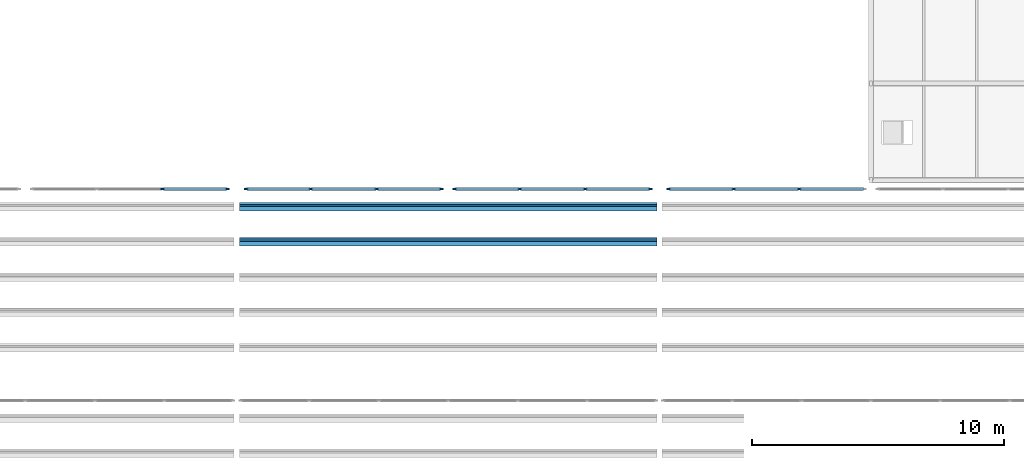
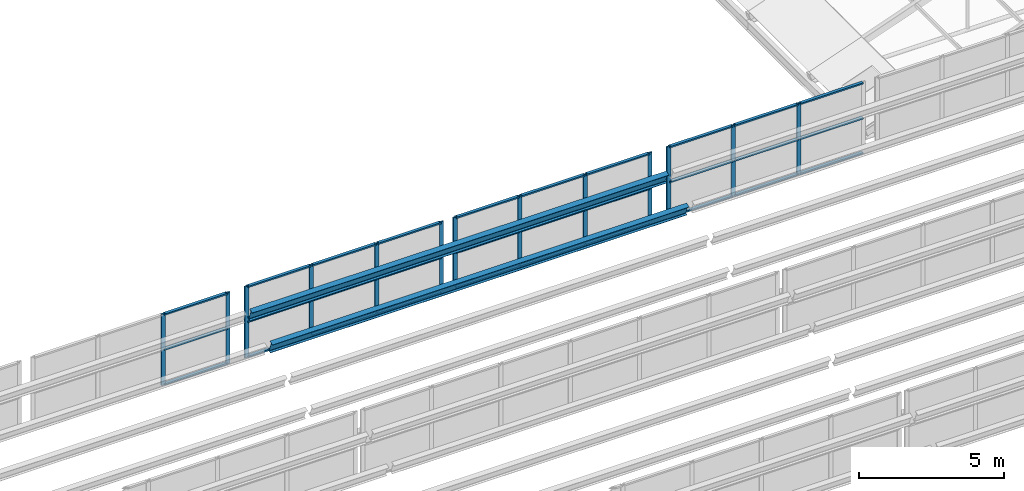
# One storey, part 23 of 116: 45 members, 4 elements without a shape of their own.
"""IFC4 building model written with IfcOpenShell, lengths in metres."""

from ifc_helpers import new_model, si_unit, direction, frame, origin, origin_2d, place, context, subcontext, project, spatial, rectangle, i_section, extrude, material, material_profile, profile_set, type_object, element, aggregate, save


model = new_model("IFC4")

# Units and contexts
model_context = context("Model", 3, precision=1e-05, world=origin(), true_north=direction((0.0, 1.0)))
body_context = subcontext(model_context, "Body", "Model", "MODEL_VIEW")
ifc_project = project(units=[si_unit("LENGTHUNIT", "METRE"), si_unit("AREAUNIT", "SQUARE_METRE"), si_unit("VOLUMEUNIT", "CUBIC_METRE"), si_unit("PLANEANGLEUNIT", "RADIAN"), si_unit("MASSUNIT", "GRAM", prefix="KILO")], contexts=[model_context])

# Site, building, storey
site_placement = place(None, origin())
site = spatial("IfcSite", under=ifc_project, at=site_placement, CompositionType="ELEMENT")
building_placement = place(site_placement, origin())
building = spatial("IfcBuilding", under=site, at=building_placement, Name="Fescue Hill Polytechnic", CompositionType="ELEMENT")
storey_placement = place(building_placement, frame((0.0, 0.0, 13.5)))
storey = spatial("IfcBuildingStorey", under=building, at=storey_placement, Name="L03", CompositionType="ELEMENT", Elevation=13.5)

# Curtain wall, members
ifc_material_1 = material(Name="Aluminium and glass", Category="aluminium")
curtain_wall_type = type_object("IfcCurtainWallType", Name="Sawtooth north glazing curtain wall", PredefinedType="NOTDEFINED", material=ifc_material_1)
curtain_wall_1_placement = place(storey_placement, origin())
curtain_wall_1 = element("IfcCurtainWall", 1, at=curtain_wall_1_placement, inside=storey, type_object=curtain_wall_type, Name="Sawtooth 4 north glazing bay 4 part 2", PredefinedType="NOTDEFINED")
ifc_material_2 = material(Name="Aluminium", Category="aluminium")
ifc_material_profile_1 = material_profile(ifc_material_2, rectangle(XDim=0.06005859375, YDim=0.159912109375, at=origin_2d()), Name="Curtain wall mullion 60x160")
ifc_profile_set_1 = profile_set([ifc_material_profile_1], Name="Aluminium")
member_type_1 = type_object("IfcMemberType", Name="Curtain wall mullion 60x160", PredefinedType="MULLION", material=ifc_profile_set_1)
member_1_placement = place(storey_placement, frame((64.25341796875, 50.39990234375, 0.0), z_axis=(0.0, 0.0, 1.0), x_axis=(0.0, 1.0, 0.0)))
member_1 = element("IfcMember", 2, at=member_1_placement, type_object=member_type_1, Name="CW29 mullion 3", PredefinedType="MULLION", context=body_context, shape_type="SweptSolid", body=[
    extrude(rectangle(XDim=0.06005859375, YDim=0.159912109375, at=origin_2d()), origin(), (0.0, 0.0, 1.0), 3.0),
])
member_2_placement = place(storey_placement, frame((66.830078125, 50.39990234375, 0.0), z_axis=(0.0, 0.0, 1.0), x_axis=(0.0, 1.0, 0.0)))
member_2 = element("IfcMember", 3, at=member_2_placement, type_object=member_type_1, Name="CW29 mullion 4", PredefinedType="MULLION", context=body_context, shape_type="SweptSolid", body=[
    extrude(rectangle(XDim=0.06005859375, YDim=0.159912109375, at=origin_2d()), origin(), (0.0, 0.0, 1.0), 3.0),
])

curtain_wall_2_placement = place(storey_placement, origin())
curtain_wall_2 = element("IfcCurtainWall", 4, at=curtain_wall_2_placement, inside=storey, type_object=curtain_wall_type, Name="Sawtooth 4 north glazing bay 5 part 1", PredefinedType="NOTDEFINED")
member_3_placement = place(storey_placement, frame((67.570068359375, 50.39990234375, 0.0), z_axis=(0.0, 0.0, 1.0), x_axis=(0.0, 1.0, 0.0)))
member_3 = element("IfcMember", 5, at=member_3_placement, type_object=member_type_1, Name="CW30 mullion 1", PredefinedType="MULLION", context=body_context, shape_type="SweptSolid", body=[
    extrude(rectangle(XDim=0.06005859375, YDim=0.159912109375, at=origin_2d()), origin(), (0.0, 0.0, 1.0), 3.0),
])
member_4_placement = place(storey_placement, frame((70.146728515625, 50.39990234375, 0.0), z_axis=(0.0, 0.0, 1.0), x_axis=(0.0, 1.0, 0.0)))
member_4 = element("IfcMember", 6, at=member_4_placement, type_object=member_type_1, Name="CW30 mullion 2", PredefinedType="MULLION", context=body_context, shape_type="SweptSolid", body=[
    extrude(rectangle(XDim=0.06005859375, YDim=0.159912109375, at=origin_2d()), origin(), (0.0, 0.0, 1.0), 3.0),
])
member_5_placement = place(storey_placement, frame((72.75341796875, 50.39990234375, 0.0), z_axis=(0.0, 0.0, 1.0), x_axis=(0.0, 1.0, 0.0)))
member_5 = element("IfcMember", 7, at=member_5_placement, type_object=member_type_1, Name="CW30 mullion 3", PredefinedType="MULLION", context=body_context, shape_type="SweptSolid", body=[
    extrude(rectangle(XDim=0.06005859375, YDim=0.159912109375, at=origin_2d()), origin(), (0.0, 0.0, 1.0), 3.0),
])
member_6_placement = place(storey_placement, frame((75.330078125, 50.39990234375, 0.0), z_axis=(0.0, 0.0, 1.0), x_axis=(0.0, 1.0, 0.0)))
member_6 = element("IfcMember", 8, at=member_6_placement, type_object=member_type_1, Name="CW30 mullion 4", PredefinedType="MULLION", context=body_context, shape_type="SweptSolid", body=[
    extrude(rectangle(XDim=0.06005859375, YDim=0.159912109375, at=origin_2d()), origin(), (0.0, 0.0, 1.0), 3.0),
])

curtain_wall_3_placement = place(storey_placement, origin())
curtain_wall_3 = element("IfcCurtainWall", 9, at=curtain_wall_3_placement, inside=storey, type_object=curtain_wall_type, Name="Sawtooth 4 north glazing bay 5 part 2", PredefinedType="NOTDEFINED")
member_7_placement = place(storey_placement, frame((75.8701171875, 50.39990234375, 0.0), z_axis=(0.0, 0.0, 1.0), x_axis=(0.0, 1.0, 0.0)))
member_7 = element("IfcMember", 10, at=member_7_placement, type_object=member_type_1, Name="CW31 mullion 1", PredefinedType="MULLION", context=body_context, shape_type="SweptSolid", body=[
    extrude(rectangle(XDim=0.06005859375, YDim=0.159912109375, at=origin_2d()), origin(), (0.0, 0.0, 1.0), 3.0),
])
member_8_placement = place(storey_placement, frame((78.44677734375, 50.39990234375, 0.0), z_axis=(0.0, 0.0, 1.0), x_axis=(0.0, 1.0, 0.0)))
member_8 = element("IfcMember", 11, at=member_8_placement, type_object=member_type_1, Name="CW31 mullion 2", PredefinedType="MULLION", context=body_context, shape_type="SweptSolid", body=[
    extrude(rectangle(XDim=0.06005859375, YDim=0.159912109375, at=origin_2d()), origin(), (0.0, 0.0, 1.0), 3.0),
])
member_9_placement = place(storey_placement, frame((81.05322265625, 50.39990234375, 0.0), z_axis=(0.0, 0.0, 1.0), x_axis=(0.0, 1.0, 0.0)))
member_9 = element("IfcMember", 12, at=member_9_placement, type_object=member_type_1, Name="CW31 mullion 3", PredefinedType="MULLION", context=body_context, shape_type="SweptSolid", body=[
    extrude(rectangle(XDim=0.06005859375, YDim=0.159912109375, at=origin_2d()), origin(), (0.0, 0.0, 1.0), 3.0),
])
member_10_placement = place(storey_placement, frame((83.6298828125, 50.39990234375, 0.0), z_axis=(0.0, 0.0, 1.0), x_axis=(0.0, 1.0, 0.0)))
member_10 = element("IfcMember", 13, at=member_10_placement, type_object=member_type_1, Name="CW31 mullion 4", PredefinedType="MULLION", context=body_context, shape_type="SweptSolid", body=[
    extrude(rectangle(XDim=0.06005859375, YDim=0.159912109375, at=origin_2d()), origin(), (0.0, 0.0, 1.0), 3.0),
])

curtain_wall_4_placement = place(storey_placement, origin())
curtain_wall_4 = element("IfcCurtainWall", 14, at=curtain_wall_4_placement, inside=storey, type_object=curtain_wall_type, Name="Sawtooth 4 north glazing bay 6 part 1", PredefinedType="NOTDEFINED")
member_11_placement = place(storey_placement, frame((84.3701171875, 50.39990234375, 0.0), z_axis=(0.0, 0.0, 1.0), x_axis=(0.0, 1.0, 0.0)))
member_11 = element("IfcMember", 15, at=member_11_placement, type_object=member_type_1, Name="CW32 mullion 1", PredefinedType="MULLION", context=body_context, shape_type="SweptSolid", body=[
    extrude(rectangle(XDim=0.06005859375, YDim=0.159912109375, at=origin_2d()), origin(), (0.0, 0.0, 1.0), 3.0),
])
member_12_placement = place(storey_placement, frame((86.94677734375, 50.39990234375, 0.0), z_axis=(0.0, 0.0, 1.0), x_axis=(0.0, 1.0, 0.0)))
member_12 = element("IfcMember", 16, at=member_12_placement, type_object=member_type_1, Name="CW32 mullion 2", PredefinedType="MULLION", context=body_context, shape_type="SweptSolid", body=[
    extrude(rectangle(XDim=0.06005859375, YDim=0.159912109375, at=origin_2d()), origin(), (0.0, 0.0, 1.0), 3.0),
])
member_13_placement = place(storey_placement, frame((89.55322265625, 50.39990234375, 0.0), z_axis=(0.0, 0.0, 1.0), x_axis=(0.0, 1.0, 0.0)))
member_13 = element("IfcMember", 17, at=member_13_placement, type_object=member_type_1, Name="CW32 mullion 3", PredefinedType="MULLION", context=body_context, shape_type="SweptSolid", body=[
    extrude(rectangle(XDim=0.06005859375, YDim=0.159912109375, at=origin_2d()), origin(), (0.0, 0.0, 1.0), 3.0),
])

# Member
ifc_material_profile_2 = material_profile(ifc_material_2, rectangle(XDim=0.1201171875, YDim=0.06005859375, at=origin_2d()), Name="Curtain wall transom 60x120")
ifc_profile_set_2 = profile_set([ifc_material_profile_2], Name="Aluminium")
member_type_2 = type_object("IfcMemberType", Name="Curtain wall transom 60x120", PredefinedType="USERDEFINED", material=ifc_profile_set_2)
member_14_placement = place(storey_placement, frame((64.283447265625, 50.39990234375, 0.030029296875), z_axis=(1.0, 0.0, 0.0), x_axis=(0.0, 1.0, 0.0)))
member_14 = element("IfcMember", 18, at=member_14_placement, type_object=member_type_2, Name="CW29 transom 3.1", ObjectType="TRANSOM", PredefinedType="USERDEFINED", context=body_context, shape_type="SweptSolid", body=[
    extrude(rectangle(XDim=0.1201171875, YDim=0.06005859375, at=origin_2d()), origin(), (0.0, 0.0, 1.0), 2.5166015625),
])

member_15_placement = place(storey_placement, frame((64.283447265625, 50.39990234375, 1.5), z_axis=(1.0, 0.0, 0.0), x_axis=(0.0, 1.0, 0.0)))
member_15 = element("IfcMember", 19, at=member_15_placement, type_object=member_type_2, Name="CW29 transom 3.2", ObjectType="TRANSOM", PredefinedType="USERDEFINED", context=body_context, shape_type="SweptSolid", body=[
    extrude(rectangle(XDim=0.1201171875, YDim=0.06005859375, at=origin_2d()), origin(), (0.0, 0.0, 1.0), 2.5166015625),
])

member_16_placement = place(storey_placement, frame((64.283447265625, 50.39990234375, 2.969970703125), z_axis=(1.0, 0.0, 0.0), x_axis=(0.0, 1.0, 0.0)))
member_16 = element("IfcMember", 20, at=member_16_placement, type_object=member_type_2, Name="CW29 transom 3.3", ObjectType="TRANSOM", PredefinedType="USERDEFINED", context=body_context, shape_type="SweptSolid", body=[
    extrude(rectangle(XDim=0.1201171875, YDim=0.06005859375, at=origin_2d()), origin(), (0.0, 0.0, 1.0), 2.5166015625),
])

aggregate(curtain_wall_1, [member_1, member_2, member_14, member_15, member_16])

member_17_placement = place(storey_placement, frame((67.60009765625, 50.39990234375, 0.030029296875), z_axis=(1.0, 0.0, 0.0), x_axis=(0.0, 1.0, 0.0)))
member_17 = element("IfcMember", 21, at=member_17_placement, type_object=member_type_2, Name="CW30 transom 1.1", ObjectType="TRANSOM", PredefinedType="USERDEFINED", context=body_context, shape_type="SweptSolid", body=[
    extrude(rectangle(XDim=0.1201171875, YDim=0.06005859375, at=origin_2d()), origin(), (0.0, 0.0, 1.0), 2.5166015625),
])

member_18_placement = place(storey_placement, frame((67.60009765625, 50.39990234375, 1.5), z_axis=(1.0, 0.0, 0.0), x_axis=(0.0, 1.0, 0.0)))
member_18 = element("IfcMember", 22, at=member_18_placement, type_object=member_type_2, Name="CW30 transom 1.2", ObjectType="TRANSOM", PredefinedType="USERDEFINED", context=body_context, shape_type="SweptSolid", body=[
    extrude(rectangle(XDim=0.1201171875, YDim=0.06005859375, at=origin_2d()), origin(), (0.0, 0.0, 1.0), 2.5166015625),
])

member_19_placement = place(storey_placement, frame((67.60009765625, 50.39990234375, 2.969970703125), z_axis=(1.0, 0.0, 0.0), x_axis=(0.0, 1.0, 0.0)))
member_19 = element("IfcMember", 23, at=member_19_placement, type_object=member_type_2, Name="CW30 transom 1.3", ObjectType="TRANSOM", PredefinedType="USERDEFINED", context=body_context, shape_type="SweptSolid", body=[
    extrude(rectangle(XDim=0.1201171875, YDim=0.06005859375, at=origin_2d()), origin(), (0.0, 0.0, 1.0), 2.5166015625),
])

member_20_placement = place(storey_placement, frame((70.1767578125, 50.39990234375, 0.030029296875), z_axis=(1.0, 0.0, 0.0), x_axis=(0.0, 1.0, 0.0)))
member_20 = element("IfcMember", 24, at=member_20_placement, type_object=member_type_2, Name="CW30 transom 2.1", ObjectType="TRANSOM", PredefinedType="USERDEFINED", context=body_context, shape_type="SweptSolid", body=[
    extrude(rectangle(XDim=0.1201171875, YDim=0.06005859375, at=origin_2d()), origin(), (0.0, 0.0, 1.0), 2.546630859375),
])

member_21_placement = place(storey_placement, frame((70.1767578125, 50.39990234375, 1.5), z_axis=(1.0, 0.0, 0.0), x_axis=(0.0, 1.0, 0.0)))
member_21 = element("IfcMember", 25, at=member_21_placement, type_object=member_type_2, Name="CW30 transom 2.2", ObjectType="TRANSOM", PredefinedType="USERDEFINED", context=body_context, shape_type="SweptSolid", body=[
    extrude(rectangle(XDim=0.1201171875, YDim=0.06005859375, at=origin_2d()), origin(), (0.0, 0.0, 1.0), 2.546630859375),
])

member_22_placement = place(storey_placement, frame((70.1767578125, 50.39990234375, 2.969970703125), z_axis=(1.0, 0.0, 0.0), x_axis=(0.0, 1.0, 0.0)))
member_22 = element("IfcMember", 26, at=member_22_placement, type_object=member_type_2, Name="CW30 transom 2.3", ObjectType="TRANSOM", PredefinedType="USERDEFINED", context=body_context, shape_type="SweptSolid", body=[
    extrude(rectangle(XDim=0.1201171875, YDim=0.06005859375, at=origin_2d()), origin(), (0.0, 0.0, 1.0), 2.546630859375),
])

member_23_placement = place(storey_placement, frame((72.783447265625, 50.39990234375, 0.030029296875), z_axis=(1.0, 0.0, 0.0), x_axis=(0.0, 1.0, 0.0)))
member_23 = element("IfcMember", 27, at=member_23_placement, type_object=member_type_2, Name="CW30 transom 3.1", ObjectType="TRANSOM", PredefinedType="USERDEFINED", context=body_context, shape_type="SweptSolid", body=[
    extrude(rectangle(XDim=0.1201171875, YDim=0.06005859375, at=origin_2d()), origin(), (0.0, 0.0, 1.0), 2.5166015625),
])

member_24_placement = place(storey_placement, frame((72.783447265625, 50.39990234375, 1.5), z_axis=(1.0, 0.0, 0.0), x_axis=(0.0, 1.0, 0.0)))
member_24 = element("IfcMember", 28, at=member_24_placement, type_object=member_type_2, Name="CW30 transom 3.2", ObjectType="TRANSOM", PredefinedType="USERDEFINED", context=body_context, shape_type="SweptSolid", body=[
    extrude(rectangle(XDim=0.1201171875, YDim=0.06005859375, at=origin_2d()), origin(), (0.0, 0.0, 1.0), 2.5166015625),
])

member_25_placement = place(storey_placement, frame((72.783447265625, 50.39990234375, 2.969970703125), z_axis=(1.0, 0.0, 0.0), x_axis=(0.0, 1.0, 0.0)))
member_25 = element("IfcMember", 29, at=member_25_placement, type_object=member_type_2, Name="CW30 transom 3.3", ObjectType="TRANSOM", PredefinedType="USERDEFINED", context=body_context, shape_type="SweptSolid", body=[
    extrude(rectangle(XDim=0.1201171875, YDim=0.06005859375, at=origin_2d()), origin(), (0.0, 0.0, 1.0), 2.5166015625),
])

aggregate(curtain_wall_2, [member_3, member_4, member_5, member_6, member_17, member_18, member_19, member_20, member_21, member_22, member_23, member_24, member_25])

member_26_placement = place(storey_placement, frame((75.89990234375, 50.39990234375, 0.030029296875), z_axis=(1.0, 0.0, 0.0), x_axis=(0.0, 1.0, 0.0)))
member_26 = element("IfcMember", 30, at=member_26_placement, type_object=member_type_2, Name="CW31 transom 1.1", ObjectType="TRANSOM", PredefinedType="USERDEFINED", context=body_context, shape_type="SweptSolid", body=[
    extrude(rectangle(XDim=0.1201171875, YDim=0.06005859375, at=origin_2d()), origin(), (0.0, 0.0, 1.0), 2.516845703125),
])

member_27_placement = place(storey_placement, frame((75.89990234375, 50.39990234375, 1.5), z_axis=(1.0, 0.0, 0.0), x_axis=(0.0, 1.0, 0.0)))
member_27 = element("IfcMember", 31, at=member_27_placement, type_object=member_type_2, Name="CW31 transom 1.2", ObjectType="TRANSOM", PredefinedType="USERDEFINED", context=body_context, shape_type="SweptSolid", body=[
    extrude(rectangle(XDim=0.1201171875, YDim=0.06005859375, at=origin_2d()), origin(), (0.0, 0.0, 1.0), 2.516845703125),
])

member_28_placement = place(storey_placement, frame((75.89990234375, 50.39990234375, 2.969970703125), z_axis=(1.0, 0.0, 0.0), x_axis=(0.0, 1.0, 0.0)))
member_28 = element("IfcMember", 32, at=member_28_placement, type_object=member_type_2, Name="CW31 transom 1.3", ObjectType="TRANSOM", PredefinedType="USERDEFINED", context=body_context, shape_type="SweptSolid", body=[
    extrude(rectangle(XDim=0.1201171875, YDim=0.06005859375, at=origin_2d()), origin(), (0.0, 0.0, 1.0), 2.516845703125),
])

member_29_placement = place(storey_placement, frame((78.4765625, 50.39990234375, 0.030029296875), z_axis=(1.0, 0.0, 0.0), x_axis=(0.0, 1.0, 0.0)))
member_29 = element("IfcMember", 33, at=member_29_placement, type_object=member_type_2, Name="CW31 transom 2.1", ObjectType="TRANSOM", PredefinedType="USERDEFINED", context=body_context, shape_type="SweptSolid", body=[
    extrude(rectangle(XDim=0.1201171875, YDim=0.06005859375, at=origin_2d()), origin(), (0.0, 0.0, 1.0), 2.546875),
])

member_30_placement = place(storey_placement, frame((78.4765625, 50.39990234375, 1.5), z_axis=(1.0, 0.0, 0.0), x_axis=(0.0, 1.0, 0.0)))
member_30 = element("IfcMember", 34, at=member_30_placement, type_object=member_type_2, Name="CW31 transom 2.2", ObjectType="TRANSOM", PredefinedType="USERDEFINED", context=body_context, shape_type="SweptSolid", body=[
    extrude(rectangle(XDim=0.1201171875, YDim=0.06005859375, at=origin_2d()), origin(), (0.0, 0.0, 1.0), 2.546875),
])

member_31_placement = place(storey_placement, frame((78.4765625, 50.39990234375, 2.969970703125), z_axis=(1.0, 0.0, 0.0), x_axis=(0.0, 1.0, 0.0)))
member_31 = element("IfcMember", 35, at=member_31_placement, type_object=member_type_2, Name="CW31 transom 2.3", ObjectType="TRANSOM", PredefinedType="USERDEFINED", context=body_context, shape_type="SweptSolid", body=[
    extrude(rectangle(XDim=0.1201171875, YDim=0.06005859375, at=origin_2d()), origin(), (0.0, 0.0, 1.0), 2.546875),
])

member_32_placement = place(storey_placement, frame((81.083251953125, 50.39990234375, 0.030029296875), z_axis=(1.0, 0.0, 0.0), x_axis=(0.0, 1.0, 0.0)))
member_32 = element("IfcMember", 36, at=member_32_placement, type_object=member_type_2, Name="CW31 transom 3.1", ObjectType="TRANSOM", PredefinedType="USERDEFINED", context=body_context, shape_type="SweptSolid", body=[
    extrude(rectangle(XDim=0.1201171875, YDim=0.06005859375, at=origin_2d()), origin(), (0.0, 0.0, 1.0), 2.516845703125),
])

member_33_placement = place(storey_placement, frame((81.083251953125, 50.39990234375, 1.5), z_axis=(1.0, 0.0, 0.0), x_axis=(0.0, 1.0, 0.0)))
member_33 = element("IfcMember", 37, at=member_33_placement, type_object=member_type_2, Name="CW31 transom 3.2", ObjectType="TRANSOM", PredefinedType="USERDEFINED", context=body_context, shape_type="SweptSolid", body=[
    extrude(rectangle(XDim=0.1201171875, YDim=0.06005859375, at=origin_2d()), origin(), (0.0, 0.0, 1.0), 2.516845703125),
])

member_34_placement = place(storey_placement, frame((81.083251953125, 50.39990234375, 2.969970703125), z_axis=(1.0, 0.0, 0.0), x_axis=(0.0, 1.0, 0.0)))
member_34 = element("IfcMember", 38, at=member_34_placement, type_object=member_type_2, Name="CW31 transom 3.3", ObjectType="TRANSOM", PredefinedType="USERDEFINED", context=body_context, shape_type="SweptSolid", body=[
    extrude(rectangle(XDim=0.1201171875, YDim=0.06005859375, at=origin_2d()), origin(), (0.0, 0.0, 1.0), 2.516845703125),
])

aggregate(curtain_wall_3, [member_7, member_8, member_9, member_10, member_26, member_27, member_28, member_29, member_30, member_31, member_32, member_33, member_34])

member_35_placement = place(storey_placement, frame((84.39990234375, 50.39990234375, 0.030029296875), z_axis=(1.0, 0.0, 0.0), x_axis=(0.0, 1.0, 0.0)))
member_35 = element("IfcMember", 39, at=member_35_placement, type_object=member_type_2, Name="CW32 transom 1.1", ObjectType="TRANSOM", PredefinedType="USERDEFINED", context=body_context, shape_type="SweptSolid", body=[
    extrude(rectangle(XDim=0.1201171875, YDim=0.06005859375, at=origin_2d()), origin(), (0.0, 0.0, 1.0), 2.516845703125),
])

member_36_placement = place(storey_placement, frame((84.39990234375, 50.39990234375, 1.5), z_axis=(1.0, 0.0, 0.0), x_axis=(0.0, 1.0, 0.0)))
member_36 = element("IfcMember", 40, at=member_36_placement, type_object=member_type_2, Name="CW32 transom 1.2", ObjectType="TRANSOM", PredefinedType="USERDEFINED", context=body_context, shape_type="SweptSolid", body=[
    extrude(rectangle(XDim=0.1201171875, YDim=0.06005859375, at=origin_2d()), origin(), (0.0, 0.0, 1.0), 2.516845703125),
])

member_37_placement = place(storey_placement, frame((84.39990234375, 50.39990234375, 2.969970703125), z_axis=(1.0, 0.0, 0.0), x_axis=(0.0, 1.0, 0.0)))
member_37 = element("IfcMember", 41, at=member_37_placement, type_object=member_type_2, Name="CW32 transom 1.3", ObjectType="TRANSOM", PredefinedType="USERDEFINED", context=body_context, shape_type="SweptSolid", body=[
    extrude(rectangle(XDim=0.1201171875, YDim=0.06005859375, at=origin_2d()), origin(), (0.0, 0.0, 1.0), 2.516845703125),
])

member_38_placement = place(storey_placement, frame((86.9765625, 50.39990234375, 0.030029296875), z_axis=(1.0, 0.0, 0.0), x_axis=(0.0, 1.0, 0.0)))
member_38 = element("IfcMember", 42, at=member_38_placement, type_object=member_type_2, Name="CW32 transom 2.1", ObjectType="TRANSOM", PredefinedType="USERDEFINED", context=body_context, shape_type="SweptSolid", body=[
    extrude(rectangle(XDim=0.1201171875, YDim=0.06005859375, at=origin_2d()), origin(), (0.0, 0.0, 1.0), 2.546875),
])

member_39_placement = place(storey_placement, frame((86.9765625, 50.39990234375, 1.5), z_axis=(1.0, 0.0, 0.0), x_axis=(0.0, 1.0, 0.0)))
member_39 = element("IfcMember", 43, at=member_39_placement, type_object=member_type_2, Name="CW32 transom 2.2", ObjectType="TRANSOM", PredefinedType="USERDEFINED", context=body_context, shape_type="SweptSolid", body=[
    extrude(rectangle(XDim=0.1201171875, YDim=0.06005859375, at=origin_2d()), origin(), (0.0, 0.0, 1.0), 2.546875),
])

member_40_placement = place(storey_placement, frame((86.9765625, 50.39990234375, 2.969970703125), z_axis=(1.0, 0.0, 0.0), x_axis=(0.0, 1.0, 0.0)))
member_40 = element("IfcMember", 44, at=member_40_placement, type_object=member_type_2, Name="CW32 transom 2.3", ObjectType="TRANSOM", PredefinedType="USERDEFINED", context=body_context, shape_type="SweptSolid", body=[
    extrude(rectangle(XDim=0.1201171875, YDim=0.06005859375, at=origin_2d()), origin(), (0.0, 0.0, 1.0), 2.546875),
])

member_41_placement = place(storey_placement, frame((89.583251953125, 50.39990234375, 0.030029296875), z_axis=(1.0, 0.0, 0.0), x_axis=(0.0, 1.0, 0.0)))
member_41 = element("IfcMember", 45, at=member_41_placement, type_object=member_type_2, Name="CW32 transom 3.1", ObjectType="TRANSOM", PredefinedType="USERDEFINED", context=body_context, shape_type="SweptSolid", body=[
    extrude(rectangle(XDim=0.1201171875, YDim=0.06005859375, at=origin_2d()), origin(), (0.0, 0.0, 1.0), 2.516845703125),
])

member_42_placement = place(storey_placement, frame((89.583251953125, 50.39990234375, 1.5), z_axis=(1.0, 0.0, 0.0), x_axis=(0.0, 1.0, 0.0)))
member_42 = element("IfcMember", 46, at=member_42_placement, type_object=member_type_2, Name="CW32 transom 3.2", ObjectType="TRANSOM", PredefinedType="USERDEFINED", context=body_context, shape_type="SweptSolid", body=[
    extrude(rectangle(XDim=0.1201171875, YDim=0.06005859375, at=origin_2d()), origin(), (0.0, 0.0, 1.0), 2.516845703125),
])

member_43_placement = place(storey_placement, frame((89.583251953125, 50.39990234375, 2.969970703125), z_axis=(1.0, 0.0, 0.0), x_axis=(0.0, 1.0, 0.0)))
member_43 = element("IfcMember", 47, at=member_43_placement, type_object=member_type_2, Name="CW32 transom 3.3", ObjectType="TRANSOM", PredefinedType="USERDEFINED", context=body_context, shape_type="SweptSolid", body=[
    extrude(rectangle(XDim=0.1201171875, YDim=0.06005859375, at=origin_2d()), origin(), (0.0, 0.0, 1.0), 2.516845703125),
])

aggregate(curtain_wall_4, [member_11, member_12, member_13, member_35, member_36, member_37, member_38, member_39, member_40, member_41, member_42, member_43])

# Members
ifc_material_3 = material(Name="Steel 350W (350 MPa)", Category="steel")
ifc_material_profile_3 = material_profile(ifc_material_3, i_section(OverallWidth=0.18994140625, OverallDepth=0.45703125, WebThickness=0.009033203125, FlangeThickness=0.014404296875, FilletRadius=0.0166015625, at=origin_2d()), Name="W460x74")
ifc_profile_set_3 = profile_set([ifc_material_profile_3], Name="Steel 350W (350 MPa)")
member_type_3 = type_object("IfcMemberType", Name="Tooth purlin W460x74", PredefinedType="PURLIN", material=ifc_profile_set_3)
member_44_placement = place(storey_placement, frame((67.304443359375, 48.300048828125, 1.794921875), z_axis=(1.0, 0.0, 0.0), x_axis=(0.0, 0.941741911595, 0.336336396997)))
element("IfcMember", 48, at=member_44_placement, inside=storey, type_object=member_type_3, Name="Tooth 4 purlin 5 bay 5", PredefinedType="PURLIN", context=body_context, shape_type="SweptSolid", body=[
    extrude(i_section(OverallWidth=0.18994140625, OverallDepth=0.45703125, WebThickness=0.009033203125, FlangeThickness=0.014404296875, FilletRadius=0.0166015625, at=origin_2d()), origin(), (0.0, 0.0, 1.0), 16.591064453125),
])
ifc_material_profile_4 = material_profile(ifc_material_3, i_section(OverallWidth=0.193115234375, OverallDepth=0.466064453125, WebThickness=0.011474609375, FlangeThickness=0.01904296875, FilletRadius=0.01708984375, at=origin_2d()), Name="W460x97")
ifc_profile_set_4 = profile_set([ifc_material_profile_4], Name="Steel 350W (350 MPa)")
member_type_4 = type_object("IfcMemberType", Name="Tooth ridge purlin W460x97", PredefinedType="PURLIN", material=ifc_profile_set_4)
member_45_placement = place(storey_placement, frame((67.304443359375, 49.699951171875, 2.290283203125), z_axis=(1.0, 0.0, 0.0), x_axis=(0.0, 0.941741911595, 0.336336396997)))
element("IfcMember", 49, at=member_45_placement, inside=storey, type_object=member_type_4, Name="Tooth 4 ridge purlin bay 5", PredefinedType="PURLIN", context=body_context, shape_type="SweptSolid", body=[
    extrude(i_section(OverallWidth=0.193115234375, OverallDepth=0.466064453125, WebThickness=0.011474609375, FlangeThickness=0.01904296875, FilletRadius=0.01708984375, at=origin_2d()), origin(), (0.0, 0.0, 1.0), 16.591064453125),
])

save(model, "model.ifc")
